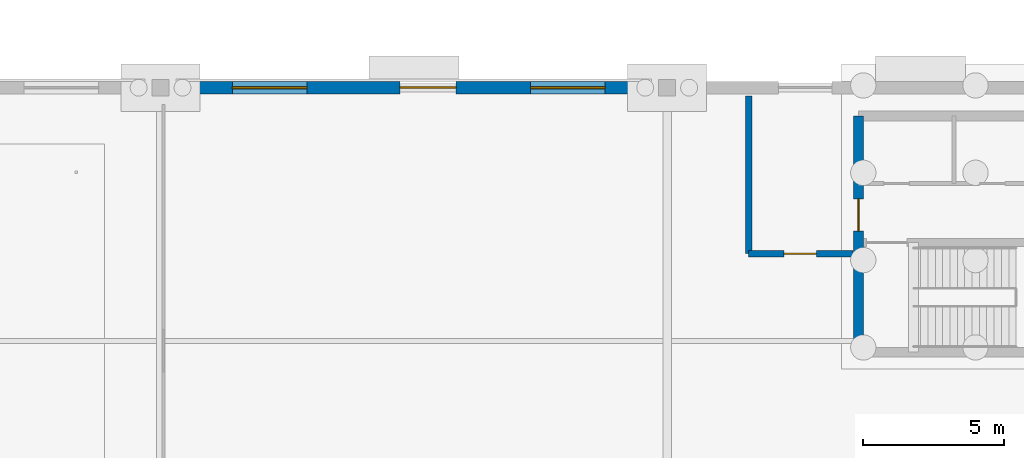
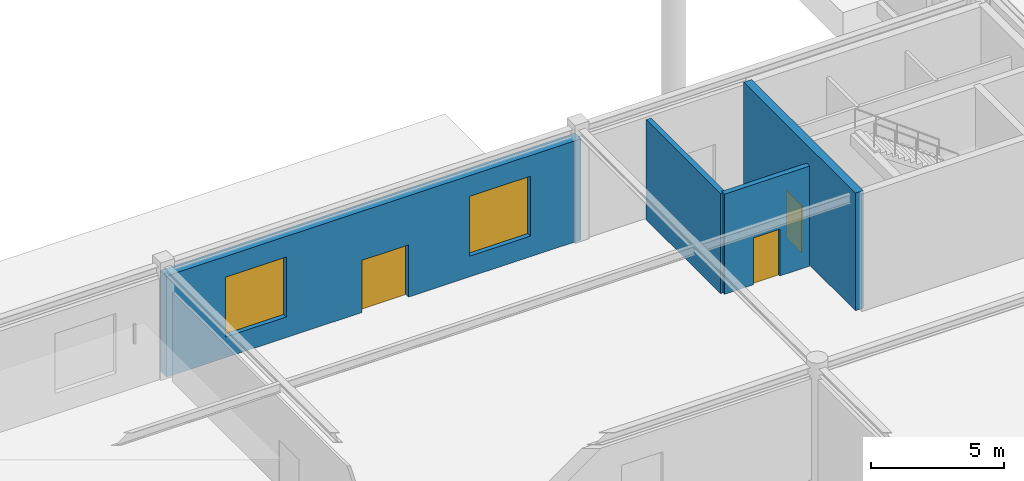
# One storey, part 29 of 53: 4 walls, 3 doors, 2 windows, 5 openings.
"""IFC4 building model written with IfcOpenShell, lengths in metres."""

from ifc_helpers import new_model, si_unit, derived_unit, direction, frame, frame_2d, origin, place, context, subcontext, project, spatial, rectangle, extrude, material, layer, layer_set, type_object, element, fill, save


model = new_model("IFC4")

# Units and contexts
model_context = context("Model", 3, precision=1e-05, world=origin(), true_north=direction((0.0, 1.0)))
body_context = subcontext(model_context, "Body", "Model", "MODEL_VIEW")
ifc_project = project(units=[si_unit("LENGTHUNIT", "METRE"), si_unit("AREAUNIT", "SQUARE_METRE"), si_unit("VOLUMEUNIT", "CUBIC_METRE"), si_unit("PLANEANGLEUNIT", "RADIAN"), si_unit("MASSUNIT", "GRAM", prefix="KILO"), derived_unit("THERMALTRANSMITTANCEUNIT", [(si_unit("POWERUNIT", "WATT"), 1), (si_unit("LENGTHUNIT", "METRE"), -2), (si_unit("THERMODYNAMICTEMPERATUREUNIT", "KELVIN"), -1)])], contexts=[model_context])

# Site, building, storey
site_placement = place(None, origin())
site = spatial("IfcSite", under=ifc_project, at=site_placement, CompositionType="ELEMENT")
building_placement = place(site_placement, origin())
building = spatial("IfcBuilding", under=site, at=building_placement, Name="Almenara Railside Exhibition Hall", CompositionType="ELEMENT")
storey_placement = place(building_placement, origin())
storey = spatial("IfcBuildingStorey", under=building, at=storey_placement, Name="L00", CompositionType="ELEMENT", Elevation=0.0)

# Wall, opening, door
ifc_material_1 = material(Name="Concrete C35/45", Category="concrete")
ifc_layer_1 = layer(ifc_material_1, 0.35009765625, Name="Concrete C35/45")
ifc_layer_set_1 = layer_set([ifc_layer_1], Name="Concrete C35/45")
wall_type_1 = type_object("IfcWallType", Name="Core Coupled Shear Wall 350mm C35/45", PredefinedType="SHEAR", material=ifc_layer_set_1)
wall_1_placement = place(storey_placement, frame((126.800048828125, 107.0, 0.0), z_axis=(0.0, 0.0, 1.0), x_axis=(0.0, -1.0, 0.0)))
wall_1 = element("IfcWall", 1, at=wall_1_placement, inside=storey, type_object=wall_type_1, Name="Interior wall 0219", PredefinedType="SHEAR", context=body_context, shape_type="SweptSolid", body=[
    extrude(rectangle(XDim=8.39990234375, YDim=0.35009765625, at=frame_2d((4.199951171875, 0.0))), origin(), (0.0, 0.0, 1.0), 5.39990234375),
])
opening_1_placement = place(wall_1_placement, frame((2.949951171875, 0.0, 0.0)))
opening_1 = element("IfcOpeningElement", 2, at=opening_1_placement, cuts=wall_1, Name="Opening FD-115", PredefinedType="OPENING", context=body_context, shape_type="SweptSolid", body=[
    extrude(rectangle(XDim=1.14990234375, YDim=2.14990234375, at=frame_2d((0.574951171875, 1.074951171875))), frame((0.0, 0.18505859375, 0.0), z_axis=(0.0, -1.0, 0.0), x_axis=(1.0, 0.0, 0.0)), (0.0, 0.0, 1.0), 0.3701171875),
])
ifc_material_2 = material(Name="Fire-rated iroko timber door", Category="wood")
door_type_1 = type_object("IfcDoorType", Name="Core Lobby Fire Door 1150x2150 EI60", OperationType="NOTDEFINED", PredefinedType="DOOR", material=ifc_material_2)
door_1_placement = place(opening_1_placement, frame((1.14990234375, 0.0, 0.0), z_axis=(0.0, 0.0, 1.0), x_axis=(-1.0, 0.0, 0.0)))
door_1 = element("IfcDoor", 3, at=door_1_placement, inside=storey, type_object=door_type_1, Name="Interior door FD-115-145", OperationType="SINGLE_SWING_LEFT", OverallHeight=2.14990234375, OverallWidth=1.14990234375, PredefinedType="DOOR", context=body_context, shape_type="SweptSolid", body=[
    extrude(rectangle(XDim=1.14990234375, YDim=2.14990234375, at=frame_2d((0.574951171875, 1.074951171875))), frame((0.0, 0.02490234375, 0.0), z_axis=(0.0, -1.0, 0.0), x_axis=(1.0, 0.0, 0.0)), (0.0, 0.0, 1.0), 0.050048828125),
])
fill(opening_1, door_1)

# Wall, openings, windows, door
ifc_material_3 = material(Name="Ochre-white lime-rendered masonry over Concrete C35/45", Category="masonry")
ifc_layer_2 = layer(ifc_material_3, 0.449951171875, Name="Ochre-white lime-rendered masonry over Concrete C35/45")
ifc_layer_set_2 = layer_set([ifc_layer_2], Name="Ochre-white lime-rendered masonry over Concrete C35/45")
wall_type_2 = type_object("IfcWallType", Name="Exterior Civic Stucco Wall 450mm C35/45", PredefinedType="SOLIDWALL", material=ifc_layer_set_2)
wall_2_placement = place(storey_placement, frame((120.0, 108.0, 0.0), z_axis=(0.0, 0.0, 1.0), x_axis=(-1.0, 0.0, 0.0)))
wall_2 = element("IfcWall", 4, at=wall_2_placement, inside=storey, type_object=wall_type_2, Name="Exterior wall 0154", PredefinedType="SOLIDWALL", context=body_context, shape_type="SweptSolid", body=[
    extrude(rectangle(XDim=18.0, YDim=0.449951171875, at=frame_2d((9.0, 0.0))), origin(), (0.0, 0.0, 1.0), 4.64990234375),
])
opening_2_placement = place(wall_2_placement, frame((7.5, 0.0, 0.0)))
opening_2 = element("IfcOpeningElement", 5, at=opening_2_placement, cuts=wall_2, Name="Opening ED-23", PredefinedType="OPENING", context=body_context, shape_type="SweptSolid", body=[
    extrude(rectangle(XDim=2.0, YDim=2.39990234375, at=frame_2d((1.0, 1.199951171875))), frame((0.0, 0.23486328125, 0.0), z_axis=(0.0, -1.0, 0.0), x_axis=(1.0, 0.0, 0.0)), (0.0, 0.0, 1.0), 0.469970703125),
])
opening_3_placement = place(wall_2_placement, frame((2.199951171875, 0.0, 0.949951171875)))
opening_3 = element("IfcOpeningElement", 6, at=opening_3_placement, cuts=wall_2, Name="Opening W-18", PredefinedType="OPENING", context=body_context, shape_type="SweptSolid", body=[
    extrude(rectangle(XDim=2.64990234375, YDim=2.75, at=frame_2d((1.324951171875, 1.375))), frame((0.0, 0.23486328125, 0.0), z_axis=(0.0, -1.0, 0.0), x_axis=(1.0, 0.0, 0.0)), (0.0, 0.0, 1.0), 0.469970703125),
])
opening_4_placement = place(wall_2_placement, frame((12.800048828125, 0.0, 0.949951171875)))
opening_4 = element("IfcOpeningElement", 7, at=opening_4_placement, cuts=wall_2, Name="Opening W-18", PredefinedType="OPENING", context=body_context, shape_type="SweptSolid", body=[
    extrude(rectangle(XDim=2.64990234375, YDim=2.75, at=frame_2d((1.324951171875, 1.375))), frame((0.0, 0.23486328125, 0.0), z_axis=(0.0, -1.0, 0.0), x_axis=(1.0, 0.0, 0.0)), (0.0, 0.0, 1.0), 0.469970703125),
])
ifc_material_4 = material(Name="Bronze-anodised aluminium and low-E double glazing", Category="aluminium")
window_type = type_object("IfcWindowType", Name="Cafe Conservatory Window 2650x2750", PartitioningType="TRIPLE_PANEL_VERTICAL", PredefinedType="WINDOW", material=ifc_material_4)
window_1_placement = place(opening_3_placement, origin())
window_1 = element("IfcWindow", 8, at=window_1_placement, inside=storey, type_object=window_type, Name="Window 0031", OverallHeight=2.75, OverallWidth=2.64990234375, PartitioningType="TRIPLE_PANEL_VERTICAL", PredefinedType="WINDOW", context=body_context, shape_type="SweptSolid", body=[
    extrude(rectangle(XDim=2.64990234375, YDim=2.75, at=frame_2d((1.324951171875, 1.375))), frame((0.0, 0.030029296875, 0.0), z_axis=(0.0, -1.0, 0.0), x_axis=(1.0, 0.0, 0.0)), (0.0, 0.0, 1.0), 0.06005859375),
])
fill(opening_3, window_1)
window_2_placement = place(opening_4_placement, origin())
window_2 = element("IfcWindow", 9, at=window_2_placement, inside=storey, type_object=window_type, Name="Window 0032", OverallHeight=2.75, OverallWidth=2.64990234375, PartitioningType="TRIPLE_PANEL_VERTICAL", PredefinedType="WINDOW", context=body_context, shape_type="SweptSolid", body=[
    extrude(rectangle(XDim=2.64990234375, YDim=2.75, at=frame_2d((1.324951171875, 1.375))), frame((0.0, 0.030029296875, 0.0), z_axis=(0.0, -1.0, 0.0), x_axis=(1.0, 0.0, 0.0)), (0.0, 0.0, 1.0), 0.06005859375),
])
fill(opening_4, window_2)
ifc_material_5 = material(Name="Bronze-anodised glazed escape door")
door_type_2 = type_object("IfcDoorType", Name="Pavilion Double Escape Exit Door 2000x2400", OperationType="NOTDEFINED", PredefinedType="DOOR", material=ifc_material_5)
door_2_placement = place(opening_2_placement, frame((2.0, 0.0, 0.0), z_axis=(0.0, 0.0, 1.0), x_axis=(-1.0, 0.0, 0.0)))
door_2 = element("IfcDoor", 10, at=door_2_placement, inside=storey, type_object=door_type_2, Name="Exterior door ED-23", OperationType="DOUBLE_DOOR_SINGLE_SWING", OverallHeight=2.39990234375, OverallWidth=2.0, PredefinedType="DOOR", context=body_context, shape_type="SweptSolid", body=[
    extrude(rectangle(XDim=2.0, YDim=2.39990234375, at=frame_2d((1.0, 1.199951171875))), frame((0.0, 0.02490234375, 0.0), z_axis=(0.0, -1.0, 0.0), x_axis=(1.0, 0.0, 0.0)), (0.0, 0.0, 1.0), 0.050048828125),
])
fill(opening_2, door_2)

# Wall
ifc_material_6 = material(Name="Insulated masonry over Concrete C35/45", Category="masonry")
ifc_layer_3 = layer(ifc_material_6, 0.219970703125, Name="Insulated masonry over Concrete C35/45")
ifc_layer_set_3 = layer_set([ifc_layer_3], Name="Insulated masonry over Concrete C35/45")
wall_type_3 = type_object("IfcWallType", Name="Occupancy Separating Fire Wall 220mm", PredefinedType="SOLIDWALL", material=ifc_layer_set_3)
wall_3_placement = place(storey_placement, frame((122.89990234375, 107.699951171875, 0.0), z_axis=(0.0, 0.0, 1.0), x_axis=(0.0, -1.0, 0.0)))
element("IfcWall", 11, at=wall_3_placement, inside=storey, type_object=wall_type_3, Name="Interior wall 0273", PredefinedType="SOLIDWALL", context=body_context, shape_type="SweptSolid", body=[
    extrude(rectangle(XDim=5.599853515625, YDim=0.219970703125, at=frame_2d((2.7998046875, 0.0))), origin(), (0.0, 0.0, 1.0), 4.60009765625),
])

# Wall, opening, door
wall_4_placement = place(storey_placement, frame((122.89990234375, 102.10009765625, 0.0), z_axis=(0.0, 0.0, 1.0), x_axis=(1.0, 0.0, 0.0)))
wall_4 = element("IfcWall", 12, at=wall_4_placement, inside=storey, type_object=wall_type_3, Name="Interior wall 0274", PredefinedType="SOLIDWALL", context=body_context, shape_type="SweptSolid", body=[
    extrude(rectangle(XDim=3.7001953125, YDim=0.219970703125, at=frame_2d((1.85009765625, 0.0))), origin(), (0.0, 0.0, 1.0), 4.60009765625),
])
opening_5_placement = place(wall_4_placement, frame((1.25, 0.0, 0.0)))
opening_5 = element("IfcOpeningElement", 13, at=opening_5_placement, cuts=wall_4, Name="Opening FD-115", PredefinedType="OPENING", context=body_context, shape_type="SweptSolid", body=[
    extrude(rectangle(XDim=1.14990234375, YDim=2.14990234375, at=frame_2d((0.574951171875, 1.074951171875))), frame((0.0, 0.119873046875, 0.0), z_axis=(0.0, -1.0, 0.0), x_axis=(1.0, 0.0, 0.0)), (0.0, 0.0, 1.0), 0.239990234375),
])
door_3_placement = place(opening_5_placement, frame((1.14990234375, 0.0, 0.0), z_axis=(0.0, 0.0, 1.0), x_axis=(-1.0, 0.0, 0.0)))
door_3 = element("IfcDoor", 14, at=door_3_placement, inside=storey, type_object=door_type_1, Name="Interior door FD-115-182", OperationType="SINGLE_SWING_LEFT", OverallHeight=2.14990234375, OverallWidth=1.14990234375, PredefinedType="DOOR", context=body_context, shape_type="SweptSolid", body=[
    extrude(rectangle(XDim=1.14990234375, YDim=2.14990234375, at=frame_2d((0.574951171875, 1.074951171875))), frame((0.0, 0.02490234375, 0.0), z_axis=(0.0, -1.0, 0.0), x_axis=(1.0, 0.0, 0.0)), (0.0, 0.0, 1.0), 0.050048828125),
])
fill(opening_5, door_3)

save(model, "model.ifc")
